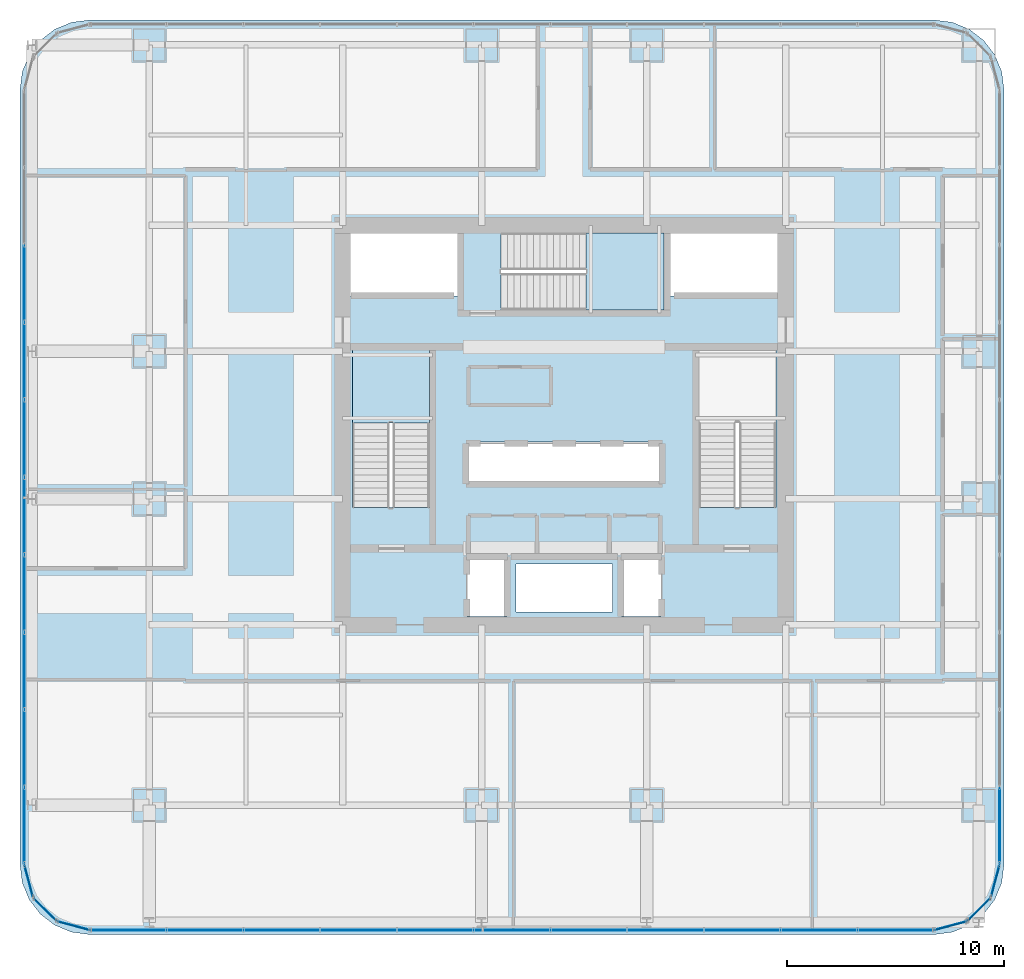
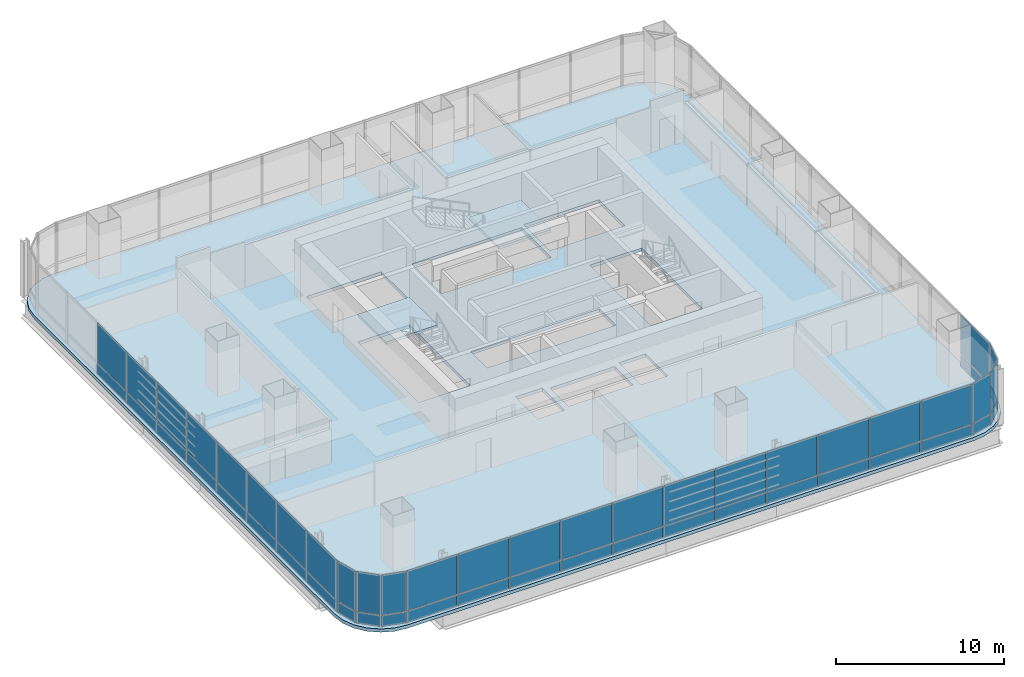
# One storey, part 26 of 36: 52 plates, 3 slabs, 11 elements without a shape of their own.
"""IFC4 building model written with IfcOpenShell, lengths in metres."""

from ifc_helpers import new_model, si_unit, direction, frame, origin, origin_2d, place, context, subcontext, project, spatial, polyline, rectangle, outline, extrude, material, layer, layer_set, type_object, element, aggregate, save


model = new_model("IFC4")

# Units and contexts
model_context = context("Model", 3, precision=1e-05, world=origin(), true_north=direction((0.0, 1.0)))
body_context = subcontext(model_context, "Body", "Model", "MODEL_VIEW")
ifc_project = project(units=[si_unit("LENGTHUNIT", "METRE"), si_unit("AREAUNIT", "SQUARE_METRE"), si_unit("VOLUMEUNIT", "CUBIC_METRE"), si_unit("PLANEANGLEUNIT", "RADIAN"), si_unit("MASSUNIT", "GRAM", prefix="KILO")], contexts=[model_context])

# Site, building, storey
site_placement = place(None, origin())
site = spatial("IfcSite", under=ifc_project, at=site_placement, CompositionType="ELEMENT")
building_placement = place(site_placement, origin())
building = spatial("IfcBuilding", under=site, at=building_placement, Name="Punatoya Terracotta Tower", CompositionType="ELEMENT")
storey_placement = place(building_placement, frame((0.0, 0.0, 40.35009765625)))
storey = spatial("IfcBuildingStorey", under=building, at=storey_placement, Name="L08", CompositionType="ELEMENT", Elevation=40.35009765625)

# Curtain wall, plates
ifc_material_1 = material(Name="Aluminium 6063-T6 + Double Low-E Glass", Category="aluminium")
curtain_wall_type = type_object("IfcCurtainWallType", Name="CW-M1", PredefinedType="NOTDEFINED", material=ifc_material_1)
curtain_wall_1_placement = place(storey_placement, origin())
curtain_wall_1 = element("IfcCurtainWall", 1, at=curtain_wall_1_placement, inside=storey, type_object=curtain_wall_type, Name="L08 Curtain Wall CW-L08-S01-1", PredefinedType="NOTDEFINED")
ifc_material_2 = material(Name="Double Low-E Clear Vision Glass", Category="glass")
ifc_layer_1 = layer(ifc_material_2, 0.028076171875)
ifc_layer_set_1 = layer_set([ifc_layer_1], Name="Double Low-E Clear Vision Glass")
plate_type_1 = type_object("IfcPlateType", Name="PLT-GLZ-28", PredefinedType="CURTAIN_PANEL", material=ifc_layer_set_1)
plate_1_placement = place(storey_placement, frame((-20.06982421875, -23.25, 0.889892578125), z_axis=(0.0, 0.0, 1.0), x_axis=(1.0, 0.0, 0.0)))
plate_1 = element("IfcPlate", 2, at=plate_1_placement, type_object=plate_type_1, Name="CW-L08-S01-1 Vision Glass Panel 1", PredefinedType="CURTAIN_PANEL", context=body_context, shape_type="SweptSolid", body=[
    extrude(rectangle(XDim=3.448974609375, YDim=0.028076171875, at=origin_2d()), origin(), (0.0, 0.0, 1.0), 2.8798828125),
])
plate_2_placement = place(storey_placement, frame((-16.535888671875, -23.25, 0.889892578125), z_axis=(0.0, 0.0, 1.0), x_axis=(1.0, 0.0, 0.0)))
plate_2 = element("IfcPlate", 3, at=plate_2_placement, type_object=plate_type_1, Name="CW-L08-S01-1 Vision Glass Panel 2", PredefinedType="CURTAIN_PANEL", context=body_context, shape_type="SweptSolid", body=[
    extrude(rectangle(XDim=3.448974609375, YDim=0.028076171875, at=origin_2d()), origin(), (0.0, 0.0, 1.0), 2.8798828125),
])
plate_3_placement = place(storey_placement, frame((-13.001953125, -23.25, 0.889892578125), z_axis=(0.0, 0.0, 1.0), x_axis=(1.0, 0.0, 0.0)))
plate_3 = element("IfcPlate", 4, at=plate_3_placement, type_object=plate_type_1, Name="CW-L08-S01-1 Vision Glass Panel 3", PredefinedType="CURTAIN_PANEL", context=body_context, shape_type="SweptSolid", body=[
    extrude(rectangle(XDim=3.448974609375, YDim=0.028076171875, at=origin_2d()), origin(), (0.0, 0.0, 1.0), 2.8798828125),
])
plate_4_placement = place(storey_placement, frame((-9.468017578125, -23.25, 0.889892578125), z_axis=(0.0, 0.0, 1.0), x_axis=(1.0, 0.0, 0.0)))
plate_4 = element("IfcPlate", 5, at=plate_4_placement, type_object=plate_type_1, Name="CW-L08-S01-1 Vision Glass Panel 4", PredefinedType="CURTAIN_PANEL", context=body_context, shape_type="SweptSolid", body=[
    extrude(rectangle(XDim=3.448974609375, YDim=0.028076171875, at=origin_2d()), origin(), (0.0, 0.0, 1.0), 2.8798828125),
])
plate_5_placement = place(storey_placement, frame((-5.93408203125, -23.25, 0.889892578125), z_axis=(0.0, 0.0, 1.0), x_axis=(1.0, 0.0, 0.0)))
plate_5 = element("IfcPlate", 6, at=plate_5_placement, type_object=plate_type_1, Name="CW-L08-S01-1 Vision Glass Panel 5", PredefinedType="CURTAIN_PANEL", context=body_context, shape_type="SweptSolid", body=[
    extrude(rectangle(XDim=3.448974609375, YDim=0.028076171875, at=origin_2d()), origin(), (0.0, 0.0, 1.0), 2.8798828125),
])
plate_6_placement = place(storey_placement, frame((-2.39990234375, -23.25, 0.889892578125), z_axis=(0.0, 0.0, 1.0), x_axis=(1.0, 0.0, 0.0)))
plate_6 = element("IfcPlate", 7, at=plate_6_placement, type_object=plate_type_1, Name="CW-L08-S01-1 Vision Glass Panel 6", PredefinedType="CURTAIN_PANEL", context=body_context, shape_type="SweptSolid", body=[
    extrude(rectangle(XDim=3.448974609375, YDim=0.028076171875, at=origin_2d()), origin(), (0.0, 0.0, 1.0), 2.8798828125),
])
plate_7_placement = place(storey_placement, frame((1.134033203125, -23.25, 0.889892578125), z_axis=(0.0, 0.0, 1.0), x_axis=(1.0, 0.0, 0.0)))
plate_7 = element("IfcPlate", 8, at=plate_7_placement, type_object=plate_type_1, Name="CW-L08-S01-1 Vision Glass Panel 7", PredefinedType="CURTAIN_PANEL", context=body_context, shape_type="SweptSolid", body=[
    extrude(rectangle(XDim=3.448974609375, YDim=0.028076171875, at=origin_2d()), origin(), (0.0, 0.0, 1.0), 2.8798828125),
])
plate_8_placement = place(storey_placement, frame((4.66796875, -23.25, 0.889892578125), z_axis=(0.0, 0.0, 1.0), x_axis=(1.0, 0.0, 0.0)))
plate_8 = element("IfcPlate", 9, at=plate_8_placement, type_object=plate_type_1, Name="CW-L08-S01-1 Vision Glass Panel 8", PredefinedType="CURTAIN_PANEL", context=body_context, shape_type="SweptSolid", body=[
    extrude(rectangle(XDim=3.448974609375, YDim=0.028076171875, at=origin_2d()), origin(), (0.0, 0.0, 1.0), 2.8798828125),
])
plate_9_placement = place(storey_placement, frame((8.201904296875, -23.25, 0.889892578125), z_axis=(0.0, 0.0, 1.0), x_axis=(1.0, 0.0, 0.0)))
plate_9 = element("IfcPlate", 10, at=plate_9_placement, type_object=plate_type_1, Name="CW-L08-S01-1 Vision Glass Panel 9", PredefinedType="CURTAIN_PANEL", context=body_context, shape_type="SweptSolid", body=[
    extrude(rectangle(XDim=3.448974609375, YDim=0.028076171875, at=origin_2d()), origin(), (0.0, 0.0, 1.0), 2.8798828125),
])
plate_10_placement = place(storey_placement, frame((11.73583984375, -23.25, 0.889892578125), z_axis=(0.0, 0.0, 1.0), x_axis=(1.0, 0.0, 0.0)))
plate_10 = element("IfcPlate", 11, at=plate_10_placement, type_object=plate_type_1, Name="CW-L08-S01-1 Vision Glass Panel 10", PredefinedType="CURTAIN_PANEL", context=body_context, shape_type="SweptSolid", body=[
    extrude(rectangle(XDim=3.448974609375, YDim=0.028076171875, at=origin_2d()), origin(), (0.0, 0.0, 1.0), 2.8798828125),
])
plate_11_placement = place(storey_placement, frame((15.27001953125, -23.25, 0.889892578125), z_axis=(0.0, 0.0, 1.0), x_axis=(1.0, 0.0, 0.0)))
plate_11 = element("IfcPlate", 12, at=plate_11_placement, type_object=plate_type_1, Name="CW-L08-S01-1 Vision Glass Panel 11", PredefinedType="CURTAIN_PANEL", context=body_context, shape_type="SweptSolid", body=[
    extrude(rectangle(XDim=3.448974609375, YDim=0.028076171875, at=origin_2d()), origin(), (0.0, 0.0, 1.0), 2.8798828125),
])

# Curtain wall, plate
curtain_wall_2_placement = place(storey_placement, origin())
curtain_wall_2 = element("IfcCurtainWall", 13, at=curtain_wall_2_placement, inside=storey, type_object=curtain_wall_type, Name="L08 Curtain Wall CW-L08-CRN02", PredefinedType="NOTDEFINED")
plate_12_placement = place(storey_placement, frame((17.79296875, -23.04833984375, 0.889892578125), z_axis=(0.0, 0.0, 1.0), x_axis=(0.966213877436, 0.257741620719, 0.0)))
plate_12 = element("IfcPlate", 14, at=plate_12_placement, type_object=plate_type_1, Name="CW-L08-CRN02 Vision Glass Panel 1", PredefinedType="CURTAIN_PANEL", context=body_context, shape_type="SweptSolid", body=[
    extrude(rectangle(XDim=1.47998046875, YDim=0.028076171875, at=origin_2d()), origin(), (0.0, 0.0, 1.0), 2.8798828125),
])

curtain_wall_3_placement = place(storey_placement, origin())
curtain_wall_3 = element("IfcCurtainWall", 15, at=curtain_wall_3_placement, inside=storey, type_object=curtain_wall_type, Name="L08 Curtain Wall CW-L08-CRN03", PredefinedType="NOTDEFINED")
plate_13_placement = place(storey_placement, frame((19.097900390625, -22.2978515625, 0.889892578125), z_axis=(0.0, 0.0, 1.0), x_axis=(0.707106781187, 0.707106781187, 0.0)))
plate_13 = element("IfcPlate", 16, at=plate_13_placement, type_object=plate_type_1, Name="CW-L08-CRN03 Vision Glass Panel 1", PredefinedType="CURTAIN_PANEL", context=body_context, shape_type="SweptSolid", body=[
    extrude(rectangle(XDim=1.467041015625, YDim=0.028076171875, at=origin_2d()), origin(), (0.0, 0.0, 1.0), 2.8798828125),
])

curtain_wall_4_placement = place(storey_placement, origin())
curtain_wall_4 = element("IfcCurtainWall", 17, at=curtain_wall_4_placement, inside=storey, type_object=curtain_wall_type, Name="L08 Curtain Wall CW-L08-CRN04", PredefinedType="NOTDEFINED")
plate_14_placement = place(storey_placement, frame((19.848388671875, -20.992919921875, 0.889892578125), z_axis=(0.0, 0.0, 1.0), x_axis=(0.257741620719, 0.966213877436, 0.0)))
plate_14 = element("IfcPlate", 18, at=plate_14_placement, type_object=plate_type_1, Name="CW-L08-CRN04 Vision Glass Panel 1", PredefinedType="CURTAIN_PANEL", context=body_context, shape_type="SweptSolid", body=[
    extrude(rectangle(XDim=1.47998046875, YDim=0.028076171875, at=origin_2d()), origin(), (0.0, 0.0, 1.0), 2.8798828125),
])

curtain_wall_5_placement = place(storey_placement, origin())
curtain_wall_5 = element("IfcCurtainWall", 19, at=curtain_wall_5_placement, inside=storey, type_object=curtain_wall_type, Name="L08 Curtain Wall CW-L08-E05-1", PredefinedType="NOTDEFINED")
plate_15_placement = place(storey_placement, frame((20.050048828125, -18.453125, 0.889892578125), z_axis=(0.0, 0.0, 1.0), x_axis=(0.0, 1.0, 0.0)))
plate_15 = element("IfcPlate", 20, at=plate_15_placement, type_object=plate_type_1, Name="CW-L08-E05-1 Vision Glass Panel 1", PredefinedType="CURTAIN_PANEL", context=body_context, shape_type="SweptSolid", body=[
    extrude(rectangle(XDim=3.482421875, YDim=0.028076171875, at=origin_2d()), origin(), (0.0, 0.0, 1.0), 2.8798828125),
])

# Curtain wall, plates
curtain_wall_6_placement = place(storey_placement, origin())
curtain_wall_6 = element("IfcCurtainWall", 21, at=curtain_wall_6_placement, inside=storey, type_object=curtain_wall_type, Name="L08 Curtain Wall CW-L08-W13-1", PredefinedType="NOTDEFINED")
plate_16_placement = place(storey_placement, frame((-24.85009765625, 6.518310546875, 0.889892578125), z_axis=(0.0, 0.0, 1.0), x_axis=(0.0, -1.0, 0.0)))
plate_16 = element("IfcPlate", 22, at=plate_16_placement, type_object=plate_type_1, Name="CW-L08-W13-1 Vision Glass Panel 3", PredefinedType="CURTAIN_PANEL", context=body_context, shape_type="SweptSolid", body=[
    extrude(rectangle(XDim=3.482421875, YDim=0.028076171875, at=origin_2d()), origin(), (0.0, 0.0, 1.0), 2.8798828125),
])
plate_17_placement = place(storey_placement, frame((-24.85009765625, 2.951171875, 0.889892578125), z_axis=(0.0, 0.0, 1.0), x_axis=(0.0, -1.0, 0.0)))
plate_17 = element("IfcPlate", 23, at=plate_17_placement, type_object=plate_type_1, Name="CW-L08-W13-1 Vision Glass Panel 4", PredefinedType="CURTAIN_PANEL", context=body_context, shape_type="SweptSolid", body=[
    extrude(rectangle(XDim=3.482421875, YDim=0.028076171875, at=origin_2d()), origin(), (0.0, 0.0, 1.0), 2.8798828125),
])
plate_18_placement = place(storey_placement, frame((-24.85009765625, -0.6162109375, 0.889892578125), z_axis=(0.0, 0.0, 1.0), x_axis=(0.0, -1.0, 0.0)))
plate_18 = element("IfcPlate", 24, at=plate_18_placement, type_object=plate_type_1, Name="CW-L08-W13-1 Vision Glass Panel 5", PredefinedType="CURTAIN_PANEL", context=body_context, shape_type="SweptSolid", body=[
    extrude(rectangle(XDim=3.482421875, YDim=0.028076171875, at=origin_2d()), origin(), (0.0, 0.0, 1.0), 2.8798828125),
])
plate_19_placement = place(storey_placement, frame((-24.85009765625, -4.18359375, 0.889892578125), z_axis=(0.0, 0.0, 1.0), x_axis=(0.0, -1.0, 0.0)))
plate_19 = element("IfcPlate", 25, at=plate_19_placement, type_object=plate_type_1, Name="CW-L08-W13-1 Vision Glass Panel 6", PredefinedType="CURTAIN_PANEL", context=body_context, shape_type="SweptSolid", body=[
    extrude(rectangle(XDim=3.482421875, YDim=0.028076171875, at=origin_2d()), origin(), (0.0, 0.0, 1.0), 2.8798828125),
])
plate_20_placement = place(storey_placement, frame((-24.85009765625, -7.751220703125, 0.889892578125), z_axis=(0.0, 0.0, 1.0), x_axis=(0.0, -1.0, 0.0)))
plate_20 = element("IfcPlate", 26, at=plate_20_placement, type_object=plate_type_1, Name="CW-L08-W13-1 Vision Glass Panel 7", PredefinedType="CURTAIN_PANEL", context=body_context, shape_type="SweptSolid", body=[
    extrude(rectangle(XDim=3.482421875, YDim=0.028076171875, at=origin_2d()), origin(), (0.0, 0.0, 1.0), 2.8798828125),
])
plate_21_placement = place(storey_placement, frame((-24.85009765625, -11.318359375, 0.889892578125), z_axis=(0.0, 0.0, 1.0), x_axis=(0.0, -1.0, 0.0)))
plate_21 = element("IfcPlate", 27, at=plate_21_placement, type_object=plate_type_1, Name="CW-L08-W13-1 Vision Glass Panel 8", PredefinedType="CURTAIN_PANEL", context=body_context, shape_type="SweptSolid", body=[
    extrude(rectangle(XDim=3.482421875, YDim=0.028076171875, at=origin_2d()), origin(), (0.0, 0.0, 1.0), 2.8798828125),
])
plate_22_placement = place(storey_placement, frame((-24.85009765625, -14.8857421875, 0.889892578125), z_axis=(0.0, 0.0, 1.0), x_axis=(0.0, -1.0, 0.0)))
plate_22 = element("IfcPlate", 28, at=plate_22_placement, type_object=plate_type_1, Name="CW-L08-W13-1 Vision Glass Panel 9", PredefinedType="CURTAIN_PANEL", context=body_context, shape_type="SweptSolid", body=[
    extrude(rectangle(XDim=3.482421875, YDim=0.028076171875, at=origin_2d()), origin(), (0.0, 0.0, 1.0), 2.8798828125),
])
plate_23_placement = place(storey_placement, frame((-24.85009765625, -18.453125, 0.889892578125), z_axis=(0.0, 0.0, 1.0), x_axis=(0.0, -1.0, 0.0)))
plate_23 = element("IfcPlate", 29, at=plate_23_placement, type_object=plate_type_1, Name="CW-L08-W13-1 Vision Glass Panel 10", PredefinedType="CURTAIN_PANEL", context=body_context, shape_type="SweptSolid", body=[
    extrude(rectangle(XDim=3.482421875, YDim=0.028076171875, at=origin_2d()), origin(), (0.0, 0.0, 1.0), 2.8798828125),
])

# Curtain wall, plate
curtain_wall_7_placement = place(storey_placement, origin())
curtain_wall_7 = element("IfcCurtainWall", 30, at=curtain_wall_7_placement, inside=storey, type_object=curtain_wall_type, Name="L08 Curtain Wall CW-L08-CRN14", PredefinedType="NOTDEFINED")
plate_24_placement = place(storey_placement, frame((-24.648193359375, -20.992919921875, 0.889892578125), z_axis=(0.0, 0.0, 1.0), x_axis=(0.257741620719, -0.966213877436, 0.0)))
plate_24 = element("IfcPlate", 31, at=plate_24_placement, type_object=plate_type_1, Name="CW-L08-CRN14 Vision Glass Panel 1", PredefinedType="CURTAIN_PANEL", context=body_context, shape_type="SweptSolid", body=[
    extrude(rectangle(XDim=1.47998046875, YDim=0.028076171875, at=origin_2d()), origin(), (0.0, 0.0, 1.0), 2.8798828125),
])

curtain_wall_8_placement = place(storey_placement, origin())
curtain_wall_8 = element("IfcCurtainWall", 32, at=curtain_wall_8_placement, inside=storey, type_object=curtain_wall_type, Name="L08 Curtain Wall CW-L08-CRN15", PredefinedType="NOTDEFINED")
plate_25_placement = place(storey_placement, frame((-23.89794921875, -22.2978515625, 0.889892578125), z_axis=(0.0, 0.0, 1.0), x_axis=(0.707106781187, -0.707106781187, 0.0)))
plate_25 = element("IfcPlate", 33, at=plate_25_placement, type_object=plate_type_1, Name="CW-L08-CRN15 Vision Glass Panel 1", PredefinedType="CURTAIN_PANEL", context=body_context, shape_type="SweptSolid", body=[
    extrude(rectangle(XDim=1.467041015625, YDim=0.028076171875, at=origin_2d()), origin(), (0.0, 0.0, 1.0), 2.8798828125),
])

curtain_wall_9_placement = place(storey_placement, origin())
curtain_wall_9 = element("IfcCurtainWall", 34, at=curtain_wall_9_placement, inside=storey, type_object=curtain_wall_type, Name="L08 Curtain Wall CW-L08-CRN16", PredefinedType="NOTDEFINED")
plate_26_placement = place(storey_placement, frame((-22.593017578125, -23.04833984375, 0.889892578125), z_axis=(0.0, 0.0, 1.0), x_axis=(0.966213877436, -0.257741620719, 0.0)))
plate_26 = element("IfcPlate", 35, at=plate_26_placement, type_object=plate_type_1, Name="CW-L08-CRN16 Vision Glass Panel 1", PredefinedType="CURTAIN_PANEL", context=body_context, shape_type="SweptSolid", body=[
    extrude(rectangle(XDim=1.47998046875, YDim=0.028076171875, at=origin_2d()), origin(), (0.0, 0.0, 1.0), 2.8798828125),
])

# Plate
ifc_material_3 = material(Name="Insulated Terracotta-Backed Spandrel Panel", Category="masonry")
ifc_layer_2 = layer(ifc_material_3, 0.044921875)
ifc_layer_set_2 = layer_set([ifc_layer_2], Name="Insulated Terracotta-Backed Spandrel Panel")
plate_type_2 = type_object("IfcPlateType", Name="PLT-SPN-45", PredefinedType="CURTAIN_PANEL", material=ifc_layer_set_2)
plate_27_placement = place(storey_placement, frame((-20.06982421875, -23.25, 0.0400390625), z_axis=(0.0, 0.0, 1.0), x_axis=(1.0, 0.0, 0.0)))
plate_27 = element("IfcPlate", 36, at=plate_27_placement, type_object=plate_type_2, Name="CW-L08-S01-1 Terracotta Spandrel Panel 1", PredefinedType="CURTAIN_PANEL", context=body_context, shape_type="SweptSolid", body=[
    extrude(rectangle(XDim=3.448974609375, YDim=0.044921875, at=origin_2d()), origin(), (0.0, 0.0, 1.0), 0.77490234375),
])

plate_28_placement = place(storey_placement, frame((-16.535888671875, -23.25, 0.0400390625), z_axis=(0.0, 0.0, 1.0), x_axis=(1.0, 0.0, 0.0)))
plate_28 = element("IfcPlate", 37, at=plate_28_placement, type_object=plate_type_2, Name="CW-L08-S01-1 Terracotta Spandrel Panel 2", PredefinedType="CURTAIN_PANEL", context=body_context, shape_type="SweptSolid", body=[
    extrude(rectangle(XDim=3.448974609375, YDim=0.044921875, at=origin_2d()), origin(), (0.0, 0.0, 1.0), 0.77490234375),
])

plate_29_placement = place(storey_placement, frame((-13.001953125, -23.25, 0.0400390625), z_axis=(0.0, 0.0, 1.0), x_axis=(1.0, 0.0, 0.0)))
plate_29 = element("IfcPlate", 38, at=plate_29_placement, type_object=plate_type_2, Name="CW-L08-S01-1 Terracotta Spandrel Panel 3", PredefinedType="CURTAIN_PANEL", context=body_context, shape_type="SweptSolid", body=[
    extrude(rectangle(XDim=3.448974609375, YDim=0.044921875, at=origin_2d()), origin(), (0.0, 0.0, 1.0), 0.77490234375),
])

plate_30_placement = place(storey_placement, frame((-9.468017578125, -23.25, 0.0400390625), z_axis=(0.0, 0.0, 1.0), x_axis=(1.0, 0.0, 0.0)))
plate_30 = element("IfcPlate", 39, at=plate_30_placement, type_object=plate_type_2, Name="CW-L08-S01-1 Terracotta Spandrel Panel 4", PredefinedType="CURTAIN_PANEL", context=body_context, shape_type="SweptSolid", body=[
    extrude(rectangle(XDim=3.448974609375, YDim=0.044921875, at=origin_2d()), origin(), (0.0, 0.0, 1.0), 0.77490234375),
])

plate_31_placement = place(storey_placement, frame((-5.93408203125, -23.25, 0.0400390625), z_axis=(0.0, 0.0, 1.0), x_axis=(1.0, 0.0, 0.0)))
plate_31 = element("IfcPlate", 40, at=plate_31_placement, type_object=plate_type_2, Name="CW-L08-S01-1 Terracotta Spandrel Panel 5", PredefinedType="CURTAIN_PANEL", context=body_context, shape_type="SweptSolid", body=[
    extrude(rectangle(XDim=3.448974609375, YDim=0.044921875, at=origin_2d()), origin(), (0.0, 0.0, 1.0), 0.77490234375),
])

plate_32_placement = place(storey_placement, frame((-2.39990234375, -23.25, 0.0400390625), z_axis=(0.0, 0.0, 1.0), x_axis=(1.0, 0.0, 0.0)))
plate_32 = element("IfcPlate", 41, at=plate_32_placement, type_object=plate_type_2, Name="CW-L08-S01-1 Terracotta Spandrel Panel 6", PredefinedType="CURTAIN_PANEL", context=body_context, shape_type="SweptSolid", body=[
    extrude(rectangle(XDim=3.448974609375, YDim=0.044921875, at=origin_2d()), origin(), (0.0, 0.0, 1.0), 0.77490234375),
])

plate_33_placement = place(storey_placement, frame((1.134033203125, -23.25, 0.0400390625), z_axis=(0.0, 0.0, 1.0), x_axis=(1.0, 0.0, 0.0)))
plate_33 = element("IfcPlate", 42, at=plate_33_placement, type_object=plate_type_2, Name="CW-L08-S01-1 Terracotta Spandrel Panel 7", PredefinedType="CURTAIN_PANEL", context=body_context, shape_type="SweptSolid", body=[
    extrude(rectangle(XDim=3.448974609375, YDim=0.044921875, at=origin_2d()), origin(), (0.0, 0.0, 1.0), 0.77490234375),
])

plate_34_placement = place(storey_placement, frame((4.66796875, -23.25, 0.0400390625), z_axis=(0.0, 0.0, 1.0), x_axis=(1.0, 0.0, 0.0)))
plate_34 = element("IfcPlate", 43, at=plate_34_placement, type_object=plate_type_2, Name="CW-L08-S01-1 Terracotta Spandrel Panel 8", PredefinedType="CURTAIN_PANEL", context=body_context, shape_type="SweptSolid", body=[
    extrude(rectangle(XDim=3.448974609375, YDim=0.044921875, at=origin_2d()), origin(), (0.0, 0.0, 1.0), 0.77490234375),
])

plate_35_placement = place(storey_placement, frame((8.201904296875, -23.25, 0.0400390625), z_axis=(0.0, 0.0, 1.0), x_axis=(1.0, 0.0, 0.0)))
plate_35 = element("IfcPlate", 44, at=plate_35_placement, type_object=plate_type_2, Name="CW-L08-S01-1 Terracotta Spandrel Panel 9", PredefinedType="CURTAIN_PANEL", context=body_context, shape_type="SweptSolid", body=[
    extrude(rectangle(XDim=3.448974609375, YDim=0.044921875, at=origin_2d()), origin(), (0.0, 0.0, 1.0), 0.77490234375),
])

plate_36_placement = place(storey_placement, frame((11.73583984375, -23.25, 0.0400390625), z_axis=(0.0, 0.0, 1.0), x_axis=(1.0, 0.0, 0.0)))
plate_36 = element("IfcPlate", 45, at=plate_36_placement, type_object=plate_type_2, Name="CW-L08-S01-1 Terracotta Spandrel Panel 10", PredefinedType="CURTAIN_PANEL", context=body_context, shape_type="SweptSolid", body=[
    extrude(rectangle(XDim=3.448974609375, YDim=0.044921875, at=origin_2d()), origin(), (0.0, 0.0, 1.0), 0.77490234375),
])

plate_37_placement = place(storey_placement, frame((15.27001953125, -23.25, 0.0400390625), z_axis=(0.0, 0.0, 1.0), x_axis=(1.0, 0.0, 0.0)))
plate_37 = element("IfcPlate", 46, at=plate_37_placement, type_object=plate_type_2, Name="CW-L08-S01-1 Terracotta Spandrel Panel 11", PredefinedType="CURTAIN_PANEL", context=body_context, shape_type="SweptSolid", body=[
    extrude(rectangle(XDim=3.448974609375, YDim=0.044921875, at=origin_2d()), origin(), (0.0, 0.0, 1.0), 0.77490234375),
])

aggregate(curtain_wall_1, [plate_27, plate_1, plate_28, plate_2, plate_29, plate_3, plate_30, plate_4, plate_31, plate_5, plate_32, plate_6, plate_33, plate_7, plate_34, plate_8, plate_35, plate_9, plate_36, plate_10, plate_37, plate_11])

plate_38_placement = place(storey_placement, frame((17.79296875, -23.04833984375, 0.0400390625), z_axis=(0.0, 0.0, 1.0), x_axis=(0.966213877436, 0.257741620719, 0.0)))
plate_38 = element("IfcPlate", 47, at=plate_38_placement, type_object=plate_type_2, Name="CW-L08-CRN02 Terracotta Spandrel Panel 1", PredefinedType="CURTAIN_PANEL", context=body_context, shape_type="SweptSolid", body=[
    extrude(rectangle(XDim=1.47998046875, YDim=0.044921875, at=origin_2d()), origin(), (0.0, 0.0, 1.0), 0.77490234375),
])

aggregate(curtain_wall_2, [plate_38, plate_12])

plate_39_placement = place(storey_placement, frame((19.097900390625, -22.2978515625, 0.0400390625), z_axis=(0.0, 0.0, 1.0), x_axis=(0.707106781187, 0.707106781187, 0.0)))
plate_39 = element("IfcPlate", 48, at=plate_39_placement, type_object=plate_type_2, Name="CW-L08-CRN03 Terracotta Spandrel Panel 1", PredefinedType="CURTAIN_PANEL", context=body_context, shape_type="SweptSolid", body=[
    extrude(rectangle(XDim=1.467041015625, YDim=0.044921875, at=origin_2d()), origin(), (0.0, 0.0, 1.0), 0.77490234375),
])

aggregate(curtain_wall_3, [plate_39, plate_13])

plate_40_placement = place(storey_placement, frame((19.848388671875, -20.992919921875, 0.0400390625), z_axis=(0.0, 0.0, 1.0), x_axis=(0.257741620719, 0.966213877436, 0.0)))
plate_40 = element("IfcPlate", 49, at=plate_40_placement, type_object=plate_type_2, Name="CW-L08-CRN04 Terracotta Spandrel Panel 1", PredefinedType="CURTAIN_PANEL", context=body_context, shape_type="SweptSolid", body=[
    extrude(rectangle(XDim=1.47998046875, YDim=0.044921875, at=origin_2d()), origin(), (0.0, 0.0, 1.0), 0.77490234375),
])

aggregate(curtain_wall_4, [plate_40, plate_14])

plate_41_placement = place(storey_placement, frame((20.050048828125, -18.453125, 0.0400390625), z_axis=(0.0, 0.0, 1.0), x_axis=(0.0, 1.0, 0.0)))
plate_41 = element("IfcPlate", 50, at=plate_41_placement, type_object=plate_type_2, Name="CW-L08-E05-1 Terracotta Spandrel Panel 1", PredefinedType="CURTAIN_PANEL", context=body_context, shape_type="SweptSolid", body=[
    extrude(rectangle(XDim=3.482421875, YDim=0.044921875, at=origin_2d()), origin(), (0.0, 0.0, 1.0), 0.77490234375),
])

aggregate(curtain_wall_5, [plate_41, plate_15])

plate_42_placement = place(storey_placement, frame((-24.85009765625, 6.518310546875, 0.0400390625), z_axis=(0.0, 0.0, 1.0), x_axis=(0.0, -1.0, 0.0)))
plate_42 = element("IfcPlate", 51, at=plate_42_placement, type_object=plate_type_2, Name="CW-L08-W13-1 Terracotta Spandrel Panel 3", PredefinedType="CURTAIN_PANEL", context=body_context, shape_type="SweptSolid", body=[
    extrude(rectangle(XDim=3.482421875, YDim=0.044921875, at=origin_2d()), origin(), (0.0, 0.0, 1.0), 0.77490234375),
])

plate_43_placement = place(storey_placement, frame((-24.85009765625, 2.951171875, 0.0400390625), z_axis=(0.0, 0.0, 1.0), x_axis=(0.0, -1.0, 0.0)))
plate_43 = element("IfcPlate", 52, at=plate_43_placement, type_object=plate_type_2, Name="CW-L08-W13-1 Terracotta Spandrel Panel 4", PredefinedType="CURTAIN_PANEL", context=body_context, shape_type="SweptSolid", body=[
    extrude(rectangle(XDim=3.482421875, YDim=0.044921875, at=origin_2d()), origin(), (0.0, 0.0, 1.0), 0.77490234375),
])

plate_44_placement = place(storey_placement, frame((-24.85009765625, -0.6162109375, 0.0400390625), z_axis=(0.0, 0.0, 1.0), x_axis=(0.0, -1.0, 0.0)))
plate_44 = element("IfcPlate", 53, at=plate_44_placement, type_object=plate_type_2, Name="CW-L08-W13-1 Terracotta Spandrel Panel 5", PredefinedType="CURTAIN_PANEL", context=body_context, shape_type="SweptSolid", body=[
    extrude(rectangle(XDim=3.482421875, YDim=0.044921875, at=origin_2d()), origin(), (0.0, 0.0, 1.0), 0.77490234375),
])

plate_45_placement = place(storey_placement, frame((-24.85009765625, -4.18359375, 0.0400390625), z_axis=(0.0, 0.0, 1.0), x_axis=(0.0, -1.0, 0.0)))
plate_45 = element("IfcPlate", 54, at=plate_45_placement, type_object=plate_type_2, Name="CW-L08-W13-1 Terracotta Spandrel Panel 6", PredefinedType="CURTAIN_PANEL", context=body_context, shape_type="SweptSolid", body=[
    extrude(rectangle(XDim=3.482421875, YDim=0.044921875, at=origin_2d()), origin(), (0.0, 0.0, 1.0), 0.77490234375),
])

plate_46_placement = place(storey_placement, frame((-24.85009765625, -7.751220703125, 0.0400390625), z_axis=(0.0, 0.0, 1.0), x_axis=(0.0, -1.0, 0.0)))
plate_46 = element("IfcPlate", 55, at=plate_46_placement, type_object=plate_type_2, Name="CW-L08-W13-1 Terracotta Spandrel Panel 7", PredefinedType="CURTAIN_PANEL", context=body_context, shape_type="SweptSolid", body=[
    extrude(rectangle(XDim=3.482421875, YDim=0.044921875, at=origin_2d()), origin(), (0.0, 0.0, 1.0), 0.77490234375),
])

plate_47_placement = place(storey_placement, frame((-24.85009765625, -11.318359375, 0.0400390625), z_axis=(0.0, 0.0, 1.0), x_axis=(0.0, -1.0, 0.0)))
plate_47 = element("IfcPlate", 56, at=plate_47_placement, type_object=plate_type_2, Name="CW-L08-W13-1 Terracotta Spandrel Panel 8", PredefinedType="CURTAIN_PANEL", context=body_context, shape_type="SweptSolid", body=[
    extrude(rectangle(XDim=3.482421875, YDim=0.044921875, at=origin_2d()), origin(), (0.0, 0.0, 1.0), 0.77490234375),
])

plate_48_placement = place(storey_placement, frame((-24.85009765625, -14.8857421875, 0.0400390625), z_axis=(0.0, 0.0, 1.0), x_axis=(0.0, -1.0, 0.0)))
plate_48 = element("IfcPlate", 57, at=plate_48_placement, type_object=plate_type_2, Name="CW-L08-W13-1 Terracotta Spandrel Panel 9", PredefinedType="CURTAIN_PANEL", context=body_context, shape_type="SweptSolid", body=[
    extrude(rectangle(XDim=3.482421875, YDim=0.044921875, at=origin_2d()), origin(), (0.0, 0.0, 1.0), 0.77490234375),
])

plate_49_placement = place(storey_placement, frame((-24.85009765625, -18.453125, 0.0400390625), z_axis=(0.0, 0.0, 1.0), x_axis=(0.0, -1.0, 0.0)))
plate_49 = element("IfcPlate", 58, at=plate_49_placement, type_object=plate_type_2, Name="CW-L08-W13-1 Terracotta Spandrel Panel 10", PredefinedType="CURTAIN_PANEL", context=body_context, shape_type="SweptSolid", body=[
    extrude(rectangle(XDim=3.482421875, YDim=0.044921875, at=origin_2d()), origin(), (0.0, 0.0, 1.0), 0.77490234375),
])

aggregate(curtain_wall_6, [plate_42, plate_16, plate_43, plate_17, plate_44, plate_18, plate_45, plate_19, plate_46, plate_20, plate_47, plate_21, plate_48, plate_22, plate_49, plate_23])

plate_50_placement = place(storey_placement, frame((-24.648193359375, -20.992919921875, 0.0400390625), z_axis=(0.0, 0.0, 1.0), x_axis=(0.257741620719, -0.966213877436, 0.0)))
plate_50 = element("IfcPlate", 59, at=plate_50_placement, type_object=plate_type_2, Name="CW-L08-CRN14 Terracotta Spandrel Panel 1", PredefinedType="CURTAIN_PANEL", context=body_context, shape_type="SweptSolid", body=[
    extrude(rectangle(XDim=1.47998046875, YDim=0.044921875, at=origin_2d()), origin(), (0.0, 0.0, 1.0), 0.77490234375),
])

aggregate(curtain_wall_7, [plate_50, plate_24])

plate_51_placement = place(storey_placement, frame((-23.89794921875, -22.2978515625, 0.0400390625), z_axis=(0.0, 0.0, 1.0), x_axis=(0.707106781187, -0.707106781187, 0.0)))
plate_51 = element("IfcPlate", 60, at=plate_51_placement, type_object=plate_type_2, Name="CW-L08-CRN15 Terracotta Spandrel Panel 1", PredefinedType="CURTAIN_PANEL", context=body_context, shape_type="SweptSolid", body=[
    extrude(rectangle(XDim=1.467041015625, YDim=0.044921875, at=origin_2d()), origin(), (0.0, 0.0, 1.0), 0.77490234375),
])

aggregate(curtain_wall_8, [plate_51, plate_25])

plate_52_placement = place(storey_placement, frame((-22.593017578125, -23.04833984375, 0.0400390625), z_axis=(0.0, 0.0, 1.0), x_axis=(0.966213877436, -0.257741620719, 0.0)))
plate_52 = element("IfcPlate", 61, at=plate_52_placement, type_object=plate_type_2, Name="CW-L08-CRN16 Terracotta Spandrel Panel 1", PredefinedType="CURTAIN_PANEL", context=body_context, shape_type="SweptSolid", body=[
    extrude(rectangle(XDim=1.47998046875, YDim=0.044921875, at=origin_2d()), origin(), (0.0, 0.0, 1.0), 0.77490234375),
])

aggregate(curtain_wall_9, [plate_52, plate_26])

# Stair, slab
ifc_material_4 = material(Name="Concrete C40/50", Category="concrete")
stair_type_1 = type_object("IfcStairType", Name="STR-TER-1450", PredefinedType="HALF_TURN_STAIR", material=ifc_material_4)
stair_1_placement = place(storey_placement, origin())
stair_1 = element("IfcStair", 62, at=stair_1_placement, inside=storey, type_object=stair_type_1, Name="L08 Protected Core Exit Stair ST-3", PredefinedType="HALF_TURN_STAIR")
ifc_layer_3 = layer(ifc_material_4, 0.1650390625)
ifc_layer_set_3 = layer_set([ifc_layer_3], Name="Concrete C40/50")
slab_type_1 = type_object("IfcSlabType", Name="SLB-LND-165", PredefinedType="LANDING", material=ifc_layer_set_3)
slab_1_placement = place(storey_placement, frame((0.0, 0.0, 1.824951171875)))
slab_1 = element("IfcSlab", 63, at=slab_1_placement, type_object=slab_type_1, Name="ST-3 landing 1", PredefinedType="LANDING", context=body_context, shape_type="SweptSolid", body=[
    extrude(outline(polyline([(1.0, 5.300048828125), (4.60009765625, 5.300048828125), (4.60009765625, 8.85009765625), (1.0, 8.85009765625), (1.0, 5.300048828125)])), origin(), (0.0, 0.0, 1.0), 0.199951171875),
])
aggregate(stair_1, [slab_1])

stair_type_2 = type_object("IfcStairType", Name="STR-CORE-1550", PredefinedType="HALF_TURN_STAIR", material=ifc_material_4)
stair_2_placement = place(storey_placement, origin())
stair_2 = element("IfcStair", 64, at=stair_2_placement, inside=storey, type_object=stair_type_2, Name="L08 Protected Core Exit Stair ST-1", PredefinedType="HALF_TURN_STAIR")
ifc_layer_4 = layer(ifc_material_4, 0.179931640625)
ifc_layer_set_4 = layer_set([ifc_layer_4], Name="Concrete C40/50")
slab_type_2 = type_object("IfcSlabType", Name="SLB-LND-180", PredefinedType="LANDING", material=ifc_layer_set_4)
slab_2_placement = place(storey_placement, frame((0.0, 0.0, 1.824951171875)))
slab_2 = element("IfcSlab", 65, at=slab_2_placement, type_object=slab_type_2, Name="ST-1 landing 1", PredefinedType="LANDING", context=body_context, shape_type="SweptSolid", body=[
    extrude(outline(polyline([(-6.199951171875, 0.10009765625), (-6.199951171875, 3.449951171875), (-9.75, 3.449951171875), (-9.75, 0.10009765625), (-6.199951171875, 0.10009765625)])), origin(), (0.0, 0.0, 1.0), 0.199951171875),
])
aggregate(stair_2, [slab_2])

# Slab
ifc_layer_5 = layer(ifc_material_4, 0.239990234375)
ifc_layer_set_5 = layer_set([ifc_layer_5], Name="Concrete C40/50")
slab_type_3 = type_object("IfcSlabType", Name="SLB-OFF-240", PredefinedType="FLOOR", material=ifc_layer_set_5)
slab_3_placement = place(storey_placement, frame((0.0, 0.0, -0.239990234375)))
element("IfcSlab", 66, at=slab_3_placement, inside=storey, type_object=slab_type_3, Name="L08 Structural Floor Slab", PredefinedType="FLOOR", context=body_context, shape_type="SweptSolid", body=[
    extrude(outline(polyline([(-21.85009765625, -23.449951171875), (-22.67822265625, -23.341064453125), (-23.449951171875, -23.021240234375), (-24.11279296875, -22.5126953125), (-24.621337890625, -21.85009765625), (-24.94091796875, -21.078125), (-25.050048828125, -20.25), (-25.050048828125, 15.449951171875), (-24.94091796875, 16.2783203125), (-24.621337890625, 17.050048828125), (-24.11279296875, 17.712646484375), (-23.449951171875, 18.22119140625), (-22.67822265625, 18.541015625), (-21.85009765625, 18.64990234375), (17.050048828125, 18.64990234375), (17.878173828125, 18.541015625), (18.64990234375, 18.22119140625), (19.312744140625, 17.712646484375), (19.8212890625, 17.050048828125), (20.14111328125, 16.2783203125), (20.25, 15.449951171875), (20.25, -20.25), (20.14111328125, -21.078125), (19.8212890625, -21.85009765625), (19.312744140625, -22.5126953125), (18.64990234375, -23.021240234375), (17.878173828125, -23.341064453125), (17.050048828125, -23.449951171875), (-21.85009765625, -23.449951171875)]), holes=[polyline([(-2.6298828125, -6.179931640625), (-4.469970703125, -6.179931640625), (-4.469970703125, -8.820068359375), (-2.6298828125, -8.820068359375), (-2.6298828125, -6.179931640625)]), polyline([(0.02001953125, -8.594970703125), (2.219970703125, -8.594970703125), (2.219970703125, -6.405029296875), (0.02001953125, -6.405029296875), (-0.02001953125, -6.405029296875), (-2.219970703125, -6.405029296875), (-2.219970703125, -8.594970703125), (-0.02001953125, -8.594970703125), (0.02001953125, -8.594970703125)]), polyline([(-2.219970703125, -2.719970703125), (-2.179931640625, -2.719970703125), (-0.02001953125, -2.719970703125), (0.02001953125, -2.719970703125), (2.179931640625, -2.719970703125), (2.219970703125, -2.719970703125), (4.419921875, -2.719970703125), (4.419921875, -0.780029296875), (2.219970703125, -0.780029296875), (2.179931640625, -0.780029296875), (0.02001953125, -0.780029296875), (-0.02001953125, -0.780029296875), (-2.179931640625, -0.780029296875), (-2.219970703125, -0.780029296875), (-4.419921875, -0.780029296875), (-4.419921875, -2.719970703125), (-2.219970703125, -2.719970703125)]), polyline([(-6.199951171875, 3.449951171875), (-9.75, 3.449951171875), (-9.75, -3.79931640625), (-6.199951171875, -3.79931640625), (-6.199951171875, 3.449951171875)]), polyline([(4.60009765625, 5.300048828125), (4.60009765625, 8.85009765625), (-2.899169921875, 8.85009765625), (-2.899169921875, 5.300048828125), (4.60009765625, 5.300048828125)]), polyline([(-4.89990234375, 9.050048828125), (-10.050048828125, 9.050048828125), (-10.050048828125, 5.949951171875), (-4.89990234375, 5.949951171875), (-4.89990234375, 9.050048828125)]), polyline([(4.469970703125, -8.820068359375), (4.469970703125, -6.179931640625), (2.6298828125, -6.179931640625), (2.6298828125, -8.820068359375), (4.469970703125, -8.820068359375)]), polyline([(9.75, 3.449951171875), (6.199951171875, 3.449951171875), (6.199951171875, -3.79931640625), (9.75, -3.79931640625), (9.75, 3.449951171875)]), polyline([(10.050048828125, 5.949951171875), (10.050048828125, 9.050048828125), (4.89990234375, 9.050048828125), (4.89990234375, 5.949951171875), (10.050048828125, 5.949951171875)])]), origin(), (0.0, 0.0, 1.0), 0.239990234375),
])

save(model, "model.ifc")
